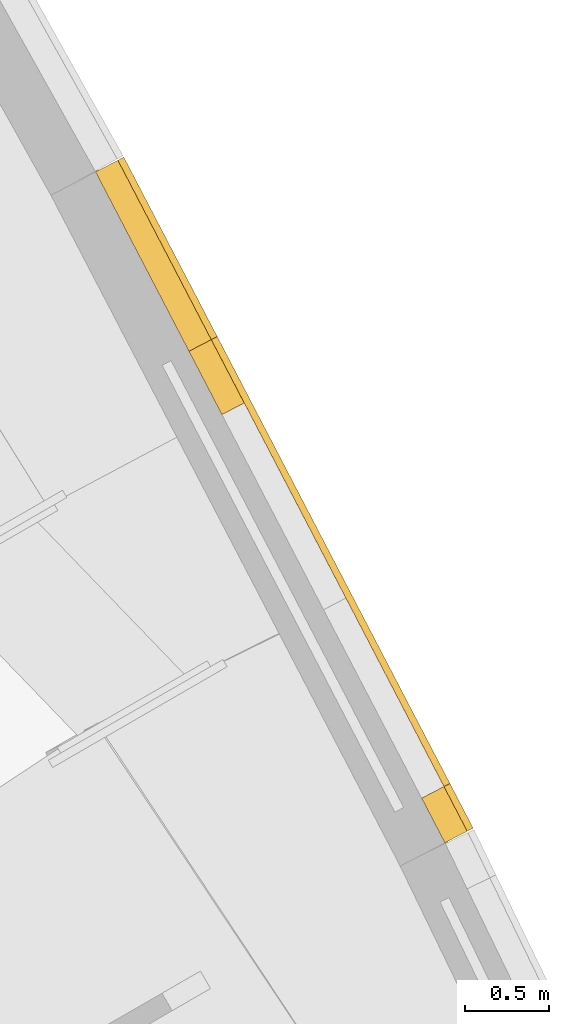
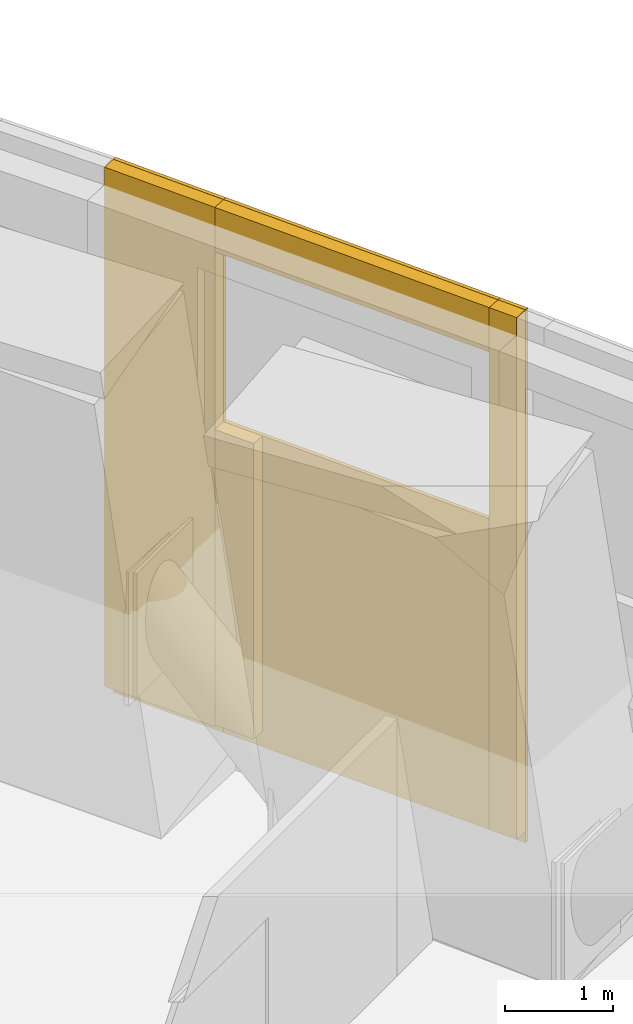
# One storey, part 25 of 28: 8 coverings.
"""IFC4 building model written with IfcOpenShell, lengths in metres."""

import ifcopenshell
import ifcopenshell.guid

model = None  # the IFC model being written
_history = None  # IfcOwnerHistory: only IFC2X3 demands one
_inside = {}  # id of a spatial element -> (the spatial element, [elements in it])
_under = {}  # id of a project, library or spatial element -> (it, [spatial elements below it])
_declared = {}  # id of a project -> (the project, [libraries it declares])
_typed = {}  # id of a type object -> (the type object, [elements of that type])
_made_of = {}  # id of a material, layer set ... -> (it, [elements and type objects made of it])


def new_model(schema):
    """Start an empty IFC model of exactly this schema.

    Asked for "IFC4X3", IfcOpenShell would pick the latest addendum, in which some entities
    have other attributes; the version numbers below select the first issue.
    IFC2X3 requires an IfcOwnerHistory on every rooted entity: one is made here for all.
    """
    global model, _history
    if schema == "IFC4X3":
        model = ifcopenshell.file(schema_version=(4, 3, 0, 0))
    else:
        model = ifcopenshell.file(schema=schema)
    _inside.clear()
    _under.clear()
    _declared.clear()
    _typed.clear()
    _made_of.clear()
    _history = None
    if model.schema == "IFC2X3":
        org = make("IfcOrganization", Name="unknown")
        user = make(
            "IfcPersonAndOrganization",
            ThePerson=make("IfcPerson", FamilyName="unknown"),
            TheOrganization=org,
        )
        app = make(
            "IfcApplication",
            ApplicationDeveloper=org,
            Version="unknown",
            ApplicationFullName="unknown",
            ApplicationIdentifier="unknown",
        )
        _history = make(
            "IfcOwnerHistory",
            OwningUser=user,
            OwningApplication=app,
            ChangeAction="ADDED",
            CreationDate=0,
        )
    return model


def make(cls, **values):
    """One entity of the class cls with the attributes given. An attribute that is None is left unset."""
    return model.create_entity(
        cls, **{name: value for name, value in values.items() if value is not None}
    )


def rooted(cls, **values):
    """An entity with a GlobalId (a new one), such as an element, a storey or a relation."""
    return make(cls, GlobalId=ifcopenshell.guid.new(), OwnerHistory=_history, **values)


def si_unit(unit_type, name, prefix=None):
    """IfcSIUnit, for example si_unit("LENGTHUNIT", "METRE", prefix="MILLI")."""
    return make("IfcSIUnit", UnitType=unit_type, Prefix=prefix, Name=name)


def assignment(units):
    """IfcUnitAssignment: the units of a project."""
    return None if units is None else make("IfcUnitAssignment", Units=units)


def point(xyz):
    """IfcCartesianPoint."""
    return None if xyz is None else make("IfcCartesianPoint", Coordinates=xyz)


def direction(xyz):
    """IfcDirection."""
    return None if xyz is None else make("IfcDirection", DirectionRatios=xyz)


def frame(location, z_axis=None, x_axis=None):
    """IfcAxis2Placement3D, a coordinate frame: its origin and axes. An axis left out is left unset."""
    return make(
        "IfcAxis2Placement3D",
        Location=point(location),
        Axis=direction(z_axis),
        RefDirection=direction(x_axis),
    )


def frame_2d(location, x_axis=None):
    """IfcAxis2Placement2D, a coordinate frame in the plane: its origin and x axis."""
    return make(
        "IfcAxis2Placement2D", Location=point(location), RefDirection=direction(x_axis)
    )


def origin():
    """The frame at (0, 0, 0) with its axes left unset."""
    return frame((0.0, 0.0, 0.0))


def origin_2d():
    """The frame at (0, 0) in the plane with its x axis left unset."""
    return frame_2d((0.0, 0.0))


def place(relative_to, where):
    """IfcLocalPlacement: puts the frame where relative to a parent placement (None: the world)."""
    return make(
        "IfcLocalPlacement", PlacementRelTo=relative_to, RelativePlacement=where
    )


def context(
    kind, dimensions, precision=None, world=None, true_north=None, identifier=None
):
    """IfcGeometricRepresentationContext, for example the 3D "Model" context."""
    return make(
        "IfcGeometricRepresentationContext",
        ContextIdentifier=identifier,
        ContextType=kind,
        CoordinateSpaceDimension=dimensions,
        Precision=precision,
        WorldCoordinateSystem=world,
        TrueNorth=true_north,
    )


def subcontext(parent, identifier, kind, view, scale=None):
    """IfcGeometricRepresentationSubContext, for example "Body" below "Model"."""
    return make(
        "IfcGeometricRepresentationSubContext",
        ContextIdentifier=identifier,
        ContextType=kind,
        ParentContext=parent,
        TargetScale=scale,
        TargetView=view,
    )


def project(units=None, contexts=None):
    """IfcProject with its units and contexts."""
    return rooted(
        "IfcProject",
        Name="project",
        RepresentationContexts=contexts,
        UnitsInContext=assignment(units),
    )


def spatial(cls, under=None, at=None, **own):
    """A site, building, storey or space (cls), placed at a placement, below another one or the project."""
    s = rooted(cls, ObjectPlacement=at, **own)
    if under is not None:
        _under.setdefault(under.id(), (under, []))[1].append(s)
    return s


def profile(cls, at=None, kind="AREA", **sizes):
    """A parametric profile (cls). Its sizes go by their IFC names, for example OverallWidth=200.0."""
    return make(cls, ProfileType=kind, Position=at, **sizes)


def rectangle(**sizes):
    """IfcRectangleProfileDef."""
    return profile("IfcRectangleProfileDef", **sizes)


def extrude(swept, where, along, depth):
    """IfcExtrudedAreaSolid: the profile swept, set in the frame where, extruded along a direction by depth."""
    return make(
        "IfcExtrudedAreaSolid",
        SweptArea=swept,
        Position=where,
        ExtrudedDirection=direction(along),
        Depth=depth,
    )


def shape(context_of_items, identifier, shape_type, items):
    """IfcShapeRepresentation: the items that make up one representation, for example the "Body"."""
    return make(
        "IfcShapeRepresentation",
        ContextOfItems=context_of_items,
        RepresentationIdentifier=identifier,
        RepresentationType=shape_type,
        Items=items,
    )


def material(Name=None, Category=None):
    """IfcMaterial."""
    return make("IfcMaterial", Name=Name, Category=Category)


def layer(
    of_material, thickness, ventilated=None, Name=None, Category=None, Priority=None
):
    """IfcMaterialLayer: one layer of a wall or slab, of a material (None: an air gap)."""
    return make(
        "IfcMaterialLayer",
        Material=of_material,
        LayerThickness=thickness,
        IsVentilated=ventilated,
        Name=Name,
        Category=Category,
        Priority=Priority,
    )


def layer_set(layers, Name=None):
    """IfcMaterialLayerSet."""
    return make("IfcMaterialLayerSet", MaterialLayers=layers, LayerSetName=Name)


def made_of(thing, what):
    """Note that an element or type object is made of a material, layer set ...; save() writes the relation."""
    if what is not None:
        _made_of.setdefault(what.id(), (what, []))[1].append(thing)
    return thing


def type_object(cls, material=None, **own):
    """A type object (cls), such as IfcWallType, which elements share."""
    return made_of(rooted(cls, **own), material)


def element(
    cls,
    number,
    at=None,
    inside=None,
    cuts=None,
    type_object=None,
    material=None,
    context=None,
    identifier="Body",
    shape_type=None,
    held_by="IfcProductDefinitionShape",
    body=None,
    shapes=None,
    **own,
):
    """One element of the class cls, such as IfcWall. Its Tag is "e" and its number.

    at: its placement. inside: the storey or other place that contains it. cuts: it is an
    opening in that element (IfcRelVoidsElement). A single representation is given by context,
    identifier, shape_type and body (its items); several are given by shapes. held_by: the class
    of the entity that holds the representations. save() writes the other relations.
    """
    e = rooted(cls, Tag="e%d" % number, ObjectPlacement=at, **own)
    if body is not None:
        shapes = [shape(context, identifier, shape_type, body)]
    if shapes is not None:
        e.Representation = make(held_by, Representations=shapes)
    if inside is not None:
        _inside.setdefault(inside.id(), (inside, []))[1].append(e)
    if cuts is not None:
        rooted(
            "IfcRelVoidsElement", RelatingBuildingElement=cuts, RelatedOpeningElement=e
        )
    if type_object is not None:
        _typed.setdefault(type_object.id(), (type_object, []))[1].append(e)
    return made_of(e, material)


def aggregate(whole, parts):
    """IfcRelAggregates: a whole, such as a stair, and the parts it consists of."""
    return rooted("IfcRelAggregates", RelatingObject=whole, RelatedObjects=parts)


def save(model, path):
    """Write the relations noted so far, then the file.

    IfcRelAggregates (storeys below a building ...), IfcRelContainedInSpatialStructure (elements
    in a storey), IfcRelDefinesByType, IfcRelAssociatesMaterial and IfcRelDeclares: one each for
    every whole, place, type object, material and project.
    """
    for whole, parts in _under.values():
        aggregate(whole, parts)
    for where, things in _inside.values():
        rooted(
            "IfcRelContainedInSpatialStructure",
            RelatedElements=things,
            RelatingStructure=where,
        )
    for kind, things in _typed.values():
        rooted("IfcRelDefinesByType", RelatedObjects=things, RelatingType=kind)
    for what, things in _made_of.values():
        rooted("IfcRelAssociatesMaterial", RelatedObjects=things, RelatingMaterial=what)
    for by, libraries in _declared.values():
        rooted("IfcRelDeclares", RelatingContext=by, RelatedDefinitions=libraries)
    model.write(path)


model = new_model("IFC4")

# Units and contexts
model_context = context("Model", 3, precision=1e-05, world=origin(), true_north=direction((0.0, 1.0)))
body_context = subcontext(model_context, "Body", "Model", "MODEL_VIEW")
ifc_project = project(units=[si_unit("LENGTHUNIT", "METRE"), si_unit("AREAUNIT", "SQUARE_METRE"), si_unit("VOLUMEUNIT", "CUBIC_METRE"), si_unit("PLANEANGLEUNIT", "RADIAN"), si_unit("MASSUNIT", "GRAM", prefix="KILO")], contexts=[model_context])

# Site, building, storey
site_placement = place(None, origin())
site = spatial("IfcSite", under=ifc_project, at=site_placement, CompositionType="ELEMENT")
building_placement = place(site_placement, origin())
building = spatial("IfcBuilding", under=site, at=building_placement, Name="Trefoil Bronze Tower", CompositionType="ELEMENT")
storey_placement = place(building_placement, frame((0.0, 0.0, 92.10009765625)))
storey = spatial("IfcBuildingStorey", under=building, at=storey_placement, Name="L21", CompositionType="ELEMENT", Elevation=92.10009765625)

# Coverings
ifc_material_1 = material(Name="Bronze-finish aluminium rainscreen panel on aluminium rails", Category="aluminium")
ifc_layer_1 = layer(ifc_material_1, 0.0400390625)
ifc_layer_set_1 = layer_set([ifc_layer_1], Name="Bronze cladding panel 40")
covering_type_1 = type_object("IfcCoveringType", Name="Bronze cladding panel 40", PredefinedType="CLADDING", material=ifc_layer_set_1)
covering_1_placement = place(storey_placement, frame((28.389404296875, 6.1552734375, 0.0), z_axis=(0.0, 0.0, 1.0), x_axis=(-0.46182981834, 0.886968555752, 0.0)))
element("IfcCovering", 1, at=covering_1_placement, inside=storey, type_object=covering_type_1, Name="Cladding panel L21 Face 2.7 piece 1", PredefinedType="CLADDING", context=body_context, shape_type="SweptSolid", body=[
    extrude(rectangle(XDim=0.300048828125, YDim=0.0400390625, at=origin_2d()), origin(), (0.0, 0.0, 1.0), 6.0),
])
covering_2_placement = place(storey_placement, frame((26.656494140625, 9.4833984375, 0.0), z_axis=(0.0, 0.0, 1.0), x_axis=(-0.46182981834, 0.886968555752, 0.0)))
element("IfcCovering", 2, at=covering_2_placement, inside=storey, type_object=covering_type_1, Name="Cladding panel L21 Face 2.7 piece 2", PredefinedType="CLADDING", context=body_context, shape_type="SweptSolid", body=[
    extrude(rectangle(XDim=1.204345703125, YDim=0.0400390625, at=origin_2d()), origin(), (0.0, 0.0, 1.0), 6.0),
])
covering_3_placement = place(storey_placement, frame((27.62744140625, 7.618896484375, 0.0), z_axis=(0.0, 0.0, 1.0), x_axis=(-0.46182981834, 0.886968555752, 0.0)))
element("IfcCovering", 3, at=covering_3_placement, inside=storey, type_object=covering_type_1, Name="Cladding panel L21 Face 2.7 piece 3", PredefinedType="CLADDING", context=body_context, shape_type="SweptSolid", body=[
    extrude(rectangle(XDim=3.0, YDim=0.0400390625, at=origin_2d()), origin(), (0.0, 0.0, 1.0), 3.5),
])
covering_4_placement = place(storey_placement, frame((27.62744140625, 7.618896484375, 5.5), z_axis=(0.0, 0.0, 1.0), x_axis=(-0.46182981834, 0.886968555752, 0.0)))
element("IfcCovering", 4, at=covering_4_placement, inside=storey, type_object=covering_type_1, Name="Cladding panel L21 Face 2.7 piece 4", PredefinedType="CLADDING", context=body_context, shape_type="SweptSolid", body=[
    extrude(rectangle(XDim=3.0, YDim=0.0400390625, at=origin_2d()), origin(), (0.0, 0.0, 1.0), 0.5),
])
ifc_material_2 = material(Name="Non-combustible mineral wool slab", Category="insulation")
ifc_layer_2 = layer(ifc_material_2, 0.14990234375)
ifc_layer_set_2 = layer_set([ifc_layer_2], Name="Rainscreen insulation 150")
covering_type_2 = type_object("IfcCoveringType", Name="Rainscreen insulation 150", PredefinedType="INSULATION", material=ifc_layer_set_2)
covering_5_placement = place(storey_placement, frame((28.30517578125, 6.111328125, 0.125), z_axis=(0.0, 0.0, 1.0), x_axis=(-0.46182981834, 0.886968555752, 0.0)))
element("IfcCovering", 5, at=covering_5_placement, inside=storey, type_object=covering_type_2, Name="Insulation L21 Face 2.7 piece 1", PredefinedType="INSULATION", context=body_context, shape_type="SweptSolid", body=[
    extrude(rectangle(XDim=0.300048828125, YDim=0.14990234375, at=origin_2d()), origin(), (0.0, 0.0, 1.0), 5.875),
])
covering_6_placement = place(storey_placement, frame((26.572265625, 9.439453125, 0.15478515625), z_axis=(0.0, 0.0, 1.0), x_axis=(-0.46182981834, 0.886968555752, 0.0)))
element("IfcCovering", 6, at=covering_6_placement, inside=storey, type_object=covering_type_2, Name="Insulation L21 Face 2.7 piece 2", PredefinedType="INSULATION", context=body_context, shape_type="SweptSolid", body=[
    extrude(rectangle(XDim=1.204345703125, YDim=0.14990234375, at=origin_2d()), origin(), (0.0, 0.0, 1.0), 5.844970703125),
])
covering_7_placement = place(storey_placement, frame((26.948486328125, 8.716796875, 0.1748046875), z_axis=(0.0, 0.0, 1.0), x_axis=(-0.46182981834, 0.886968555752, 0.0)))
element("IfcCovering", 7, at=covering_7_placement, inside=storey, type_object=covering_type_2, Name="Insulation L21 Face 2.7 piece 3 part 3", PredefinedType="INSULATION", context=body_context, shape_type="SweptSolid", body=[
    extrude(rectangle(XDim=0.425048828125, YDim=0.14990234375, at=origin_2d()), origin(), (0.0, 0.0, 1.0), 3.324951171875),
])
covering_8_placement = place(storey_placement, frame((27.543212890625, 7.574951171875, 5.5), z_axis=(0.0, 0.0, 1.0), x_axis=(-0.46182981834, 0.886968555752, 0.0)))
element("IfcCovering", 8, at=covering_8_placement, inside=storey, type_object=covering_type_2, Name="Insulation L21 Face 2.7 piece 4", PredefinedType="INSULATION", context=body_context, shape_type="SweptSolid", body=[
    extrude(rectangle(XDim=3.0, YDim=0.14990234375, at=origin_2d()), origin(), (0.0, 0.0, 1.0), 0.5),
])

save(model, "model.ifc")
